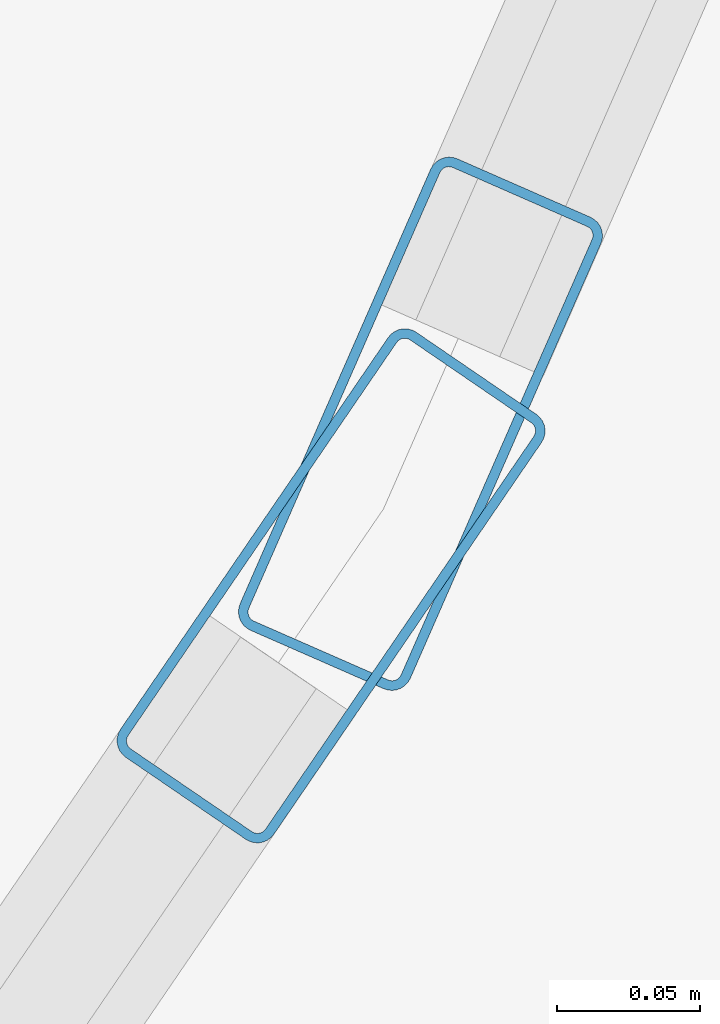
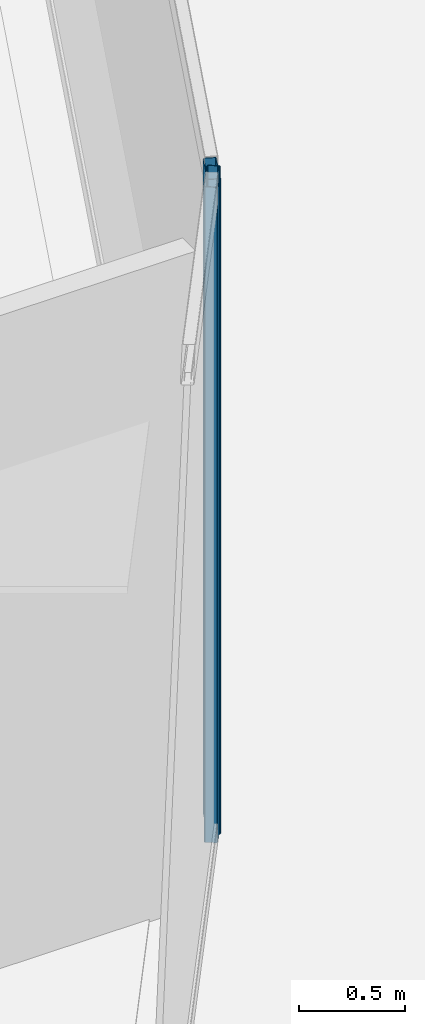
# One storey, part 11 of 45: 2 members, 2 elements without a shape of their own.
"""IFC4 building model written with IfcOpenShell, lengths in metres."""

from ifc_helpers import new_model, si_unit, direction, frame, origin, origin_2d, place, context, subcontext, project, spatial, hollow_rectangle, extrude, material, layer, layer_set, material_profile, profile_set, type_object, element, aggregate, save


model = new_model("IFC4")

# Units and contexts
model_context = context("Model", 3, precision=1e-05, world=origin(), true_north=direction((0.0, 1.0)))
body_context = subcontext(model_context, "Body", "Model", "MODEL_VIEW")
ifc_project = project(units=[si_unit("LENGTHUNIT", "METRE"), si_unit("AREAUNIT", "SQUARE_METRE"), si_unit("VOLUMEUNIT", "CUBIC_METRE"), si_unit("PLANEANGLEUNIT", "RADIAN"), si_unit("MASSUNIT", "GRAM", prefix="KILO")], contexts=[model_context])

# Site, building, storey
site_placement = place(None, origin())
site = spatial("IfcSite", under=ifc_project, at=site_placement, CompositionType="ELEMENT")
building_placement = place(site_placement, origin())
building = spatial("IfcBuilding", under=site, at=building_placement, Name="Qorvath Tower", CompositionType="ELEMENT")
storey_placement = place(building_placement, frame((0.0, 0.0, 109.800048828125)))
storey = spatial("IfcBuildingStorey", under=building, at=storey_placement, Name="L24", CompositionType="ELEMENT", Elevation=109.800048828125)

# Curtain wall, member
ifc_material_1 = material(Name="Anodised aluminium and triple low-E glass", Category="aluminium")
ifc_layer = layer(ifc_material_1, 0.179931640625)
ifc_layer_set = layer_set([ifc_layer], Name="CW-SYS-2")
curtain_wall_type = type_object("IfcCurtainWallType", Name="CW-SYS-2", PredefinedType="NOTDEFINED", material=ifc_layer_set)
curtain_wall_1_placement = place(storey_placement, origin())
curtain_wall_1 = element("IfcCurtainWall", 1, at=curtain_wall_1_placement, inside=storey, type_object=curtain_wall_type, Name="Curtain Wall CW-2 CW-T-L24-5.1", PredefinedType="NOTDEFINED")
ifc_material_2 = material(Name="Anodised aluminium 6063-T6", Category="aluminium")
ifc_material_profile = material_profile(ifc_material_2, hollow_rectangle(XDim=0.06494140625, YDim=0.179931640625, WallThickness=0.00341796875, InnerFilletRadius=0.00341796875, OuterFilletRadius=0.007080078125, at=origin_2d()), Name="CWM 180x65")
ifc_profile_set = profile_set([ifc_material_profile], Name="Anodised aluminium 6063-T6")
member_type = type_object("IfcMemberType", Name="CWM-180", PredefinedType="MULLION", material=ifc_profile_set)
member_1_placement = place(storey_placement, frame((0.60400390625, -18.207763671875, 0.0), z_axis=(0.0, 0.0, 1.0), x_axis=(-0.825695001763, 0.564116800019, 0.0)))
member_1 = element("IfcMember", 2, at=member_1_placement, type_object=member_type, Name="CW-2 mullion 2", PredefinedType="MULLION", context=body_context, shape_type="SweptSolid", body=[
    extrude(hollow_rectangle(XDim=0.06494140625, YDim=0.179931640625, WallThickness=0.00341796875, InnerFilletRadius=0.00341796875, OuterFilletRadius=0.007080078125, at=origin_2d()), origin(), (0.0, 0.0, 1.0), 3.77001953125),
])
aggregate(curtain_wall_1, [member_1])

curtain_wall_2_placement = place(storey_placement, origin())
curtain_wall_2 = element("IfcCurtainWall", 3, at=curtain_wall_2_placement, inside=storey, type_object=curtain_wall_type, Name="Curtain Wall CW-2 CW-T-L24-6.1", PredefinedType="NOTDEFINED")
member_2_placement = place(storey_placement, frame((0.63525390625, -18.151123046875, 0.0), z_axis=(0.0, 0.0, 1.0), x_axis=(-0.915821362935, 0.401585895161, 0.0)))
member_2 = element("IfcMember", 4, at=member_2_placement, type_object=member_type, Name="CW-2 mullion 1", PredefinedType="MULLION", context=body_context, shape_type="SweptSolid", body=[
    extrude(hollow_rectangle(XDim=0.06494140625, YDim=0.179931640625, WallThickness=0.00341796875, InnerFilletRadius=0.00341796875, OuterFilletRadius=0.007080078125, at=origin_2d()), origin(), (0.0, 0.0, 1.0), 3.77001953125),
])
aggregate(curtain_wall_2, [member_2])

save(model, "model.ifc")
